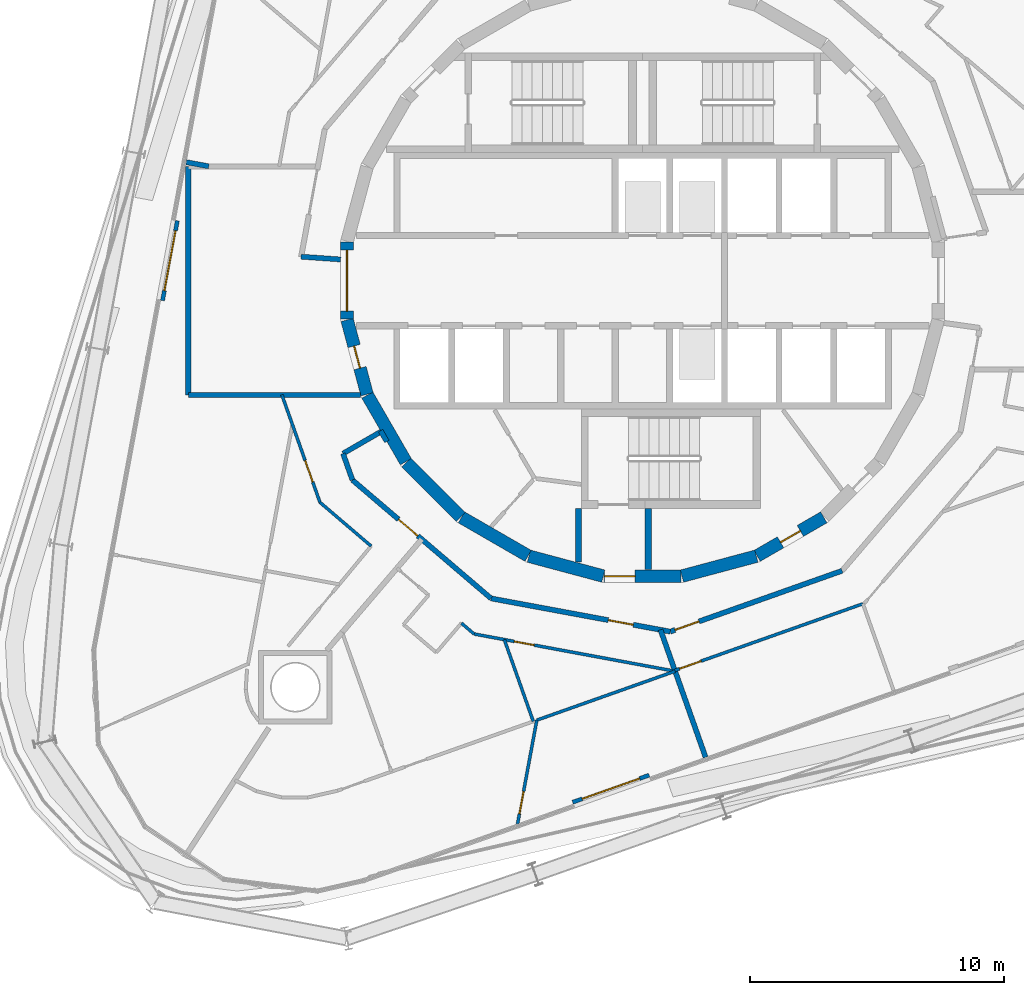
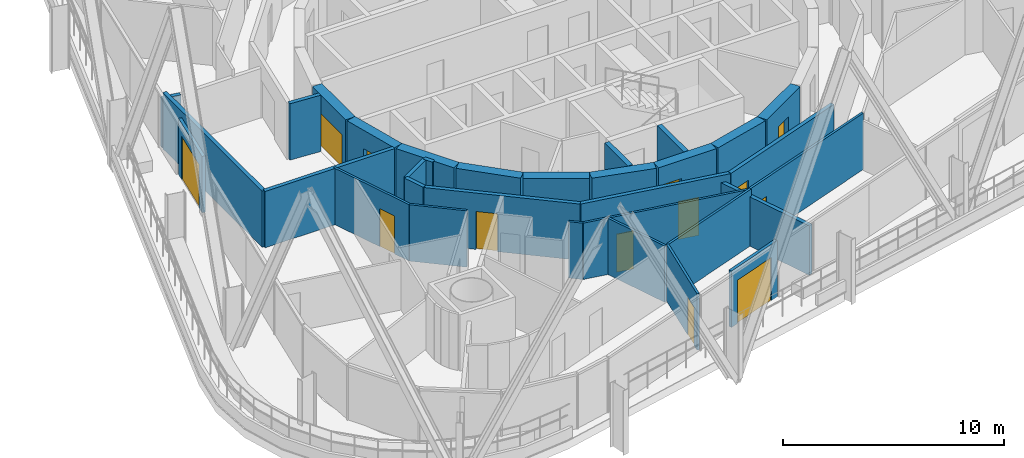
# One storey, part 11 of 25: 32 walls, 13 doors, 13 openings.
"""IFC4 building model written with IfcOpenShell, lengths in metres."""

from ifc_helpers import new_model, si_unit, direction, frame, frame_2d, origin, place, context, subcontext, project, spatial, rectangle, extrude, material, layer, layer_set, type_object, element, fill, save


model = new_model("IFC4")

# Units and contexts
model_context = context("Model", 3, precision=1e-05, world=origin(), true_north=direction((0.0, 1.0)))
body_context = subcontext(model_context, "Body", "Model", "MODEL_VIEW")
ifc_project = project(units=[si_unit("LENGTHUNIT", "METRE"), si_unit("AREAUNIT", "SQUARE_METRE"), si_unit("VOLUMEUNIT", "CUBIC_METRE"), si_unit("PLANEANGLEUNIT", "RADIAN"), si_unit("MASSUNIT", "GRAM", prefix="KILO")], contexts=[model_context])

# Site, building, storey
site_placement = place(None, origin())
site = spatial("IfcSite", under=ifc_project, at=site_placement, CompositionType="ELEMENT")
building_placement = place(site_placement, origin())
building = spatial("IfcBuilding", under=site, at=building_placement, Name="Spindle Arch Residences", CompositionType="ELEMENT")
storey_placement = place(building_placement, frame((0.0, 0.0, 151.699951171875)))
storey = spatial("IfcBuildingStorey", under=building, at=storey_placement, Name="L37", CompositionType="ELEMENT", Elevation=151.699951171875)

# Wall
ifc_material_1 = material(Name="Concrete C50/60", Category="concrete")
ifc_layer_1 = layer(ifc_material_1, 0.5)
ifc_layer_set_1 = layer_set([ifc_layer_1], Name="Core outline wall 500")
wall_type_1 = type_object("IfcWallType", Name="Core outline wall 500", PredefinedType="SHEAR", material=ifc_layer_set_1)
wall_1_placement = place(storey_placement, frame((1.5498046875, -11.642822265625, 0.0), z_axis=(0.0, 0.0, 1.0), x_axis=(0.965948410781, 0.258734743916, 0.0)))
element("IfcWall", 1, at=wall_1_placement, inside=storey, type_object=wall_type_1, Name="Core outline wall 1", PredefinedType="SHEAR", context=body_context, shape_type="SweptSolid", body=[
    extrude(rectangle(XDim=3.03271484375, YDim=0.5, at=frame_2d((1.516357421875, 0.0))), origin(), (0.0, 0.0, 1.0), 3.1201171875),
])

# Wall, opening, door
wall_2_placement = place(storey_placement, frame((4.510498046875, -10.84521484375, 0.0), z_axis=(0.0, 0.0, 1.0), x_axis=(0.865975092491, 0.500087131594, 0.0)))
wall_2 = element("IfcWall", 2, at=wall_2_placement, inside=storey, type_object=wall_type_1, Name="Core outline wall 2", PredefinedType="SHEAR", context=body_context, shape_type="SweptSolid", body=[
    extrude(rectangle(XDim=3.03271484375, YDim=0.5, at=frame_2d((1.516357421875, 0.0))), origin(), (0.0, 0.0, 1.0), 3.1201171875),
])
opening_1_placement = place(wall_2_placement, frame((1.06640625, 0.0, 0.0)))
opening_1 = element("IfcOpeningElement", 3, at=opening_1_placement, cuts=wall_2, Name="Opening R4A0-WD08", PredefinedType="OPENING", context=body_context, shape_type="SweptSolid", body=[
    extrude(rectangle(XDim=0.89990234375, YDim=2.10009765625, at=frame_2d((0.449951171875, 1.050048828125))), frame((0.0, 0.260009765625, 0.0), z_axis=(0.0, -1.0, 0.0), x_axis=(1.0, 0.0, 0.0)), (0.0, 0.0, 1.0), 0.52001953125),
])
ifc_material_2 = material(Name="Steel, fire-resisting door", Category="steel")
door_type_1 = type_object("IfcDoorType", Name="Service room door 900x2100", OperationType="SINGLE_SWING_LEFT", PredefinedType="DOOR", material=ifc_material_2)
door_1_placement = place(opening_1_placement, origin())
door_1 = element("IfcDoor", 4, at=door_1_placement, inside=storey, type_object=door_type_1, Name="Service room door R4A0-WD08", OperationType="SINGLE_SWING_RIGHT", OverallHeight=2.10009765625, OverallWidth=0.89990234375, PredefinedType="DOOR", context=body_context, shape_type="SweptSolid", body=[
    extrude(rectangle(XDim=0.89990234375, YDim=2.10009765625, at=frame_2d((0.449951171875, 1.050048828125))), frame((0.0, 0.02490234375, 0.0), z_axis=(0.0, -1.0, 0.0), x_axis=(1.0, 0.0, 0.0)), (0.0, 0.0, 1.0), 0.050048828125),
])
fill(opening_1, door_1)

wall_3_placement = place(storey_placement, frame((-11.647216796875, 1.516357421875, 0.0), z_axis=(0.0, 0.0, 1.0), x_axis=(0.0, -1.0, 0.0)))
wall_3 = element("IfcWall", 5, at=wall_3_placement, inside=storey, type_object=wall_type_1, Name="Core outline wall 18", PredefinedType="SHEAR", context=body_context, shape_type="SweptSolid", body=[
    extrude(rectangle(XDim=3.03271484375, YDim=0.5, at=frame_2d((1.516357421875, 0.0))), origin(), (0.0, 0.0, 1.0), 3.1201171875),
])
opening_2_placement = place(wall_3_placement, frame((0.31640625, 0.0, 0.0)))
opening_2 = element("IfcOpeningElement", 6, at=opening_2_placement, cuts=wall_3, Name="Opening R4A0-LE01", PredefinedType="OPENING", context=body_context, shape_type="SweptSolid", body=[
    extrude(rectangle(XDim=2.39990234375, YDim=2.10009765625, at=frame_2d((1.199951171875, 1.050048828125))), frame((0.0, 0.260009765625, 0.0), z_axis=(0.0, -1.0, 0.0), x_axis=(1.0, 0.0, 0.0)), (0.0, 0.0, 1.0), 0.52001953125),
])
ifc_material_3 = material(Name="Steel, fire-resisting door", Category="steel")
door_type_2 = type_object("IfcDoorType", Name="Lift lobby entrance door 2400x2100", OperationType="DOUBLE_DOOR_SINGLE_SWING", PredefinedType="DOOR", material=ifc_material_3)
door_2_placement = place(opening_2_placement, origin())
door_2 = element("IfcDoor", 7, at=door_2_placement, inside=storey, type_object=door_type_2, Name="Lift lobby entrance door R4A0-LE01", OperationType="DOUBLE_DOOR_SINGLE_SWING", OverallHeight=2.10009765625, OverallWidth=2.39990234375, PredefinedType="DOOR", context=body_context, shape_type="SweptSolid", body=[
    extrude(rectangle(XDim=2.39990234375, YDim=2.10009765625, at=frame_2d((1.199951171875, 1.050048828125))), frame((0.0, 0.02490234375, 0.0), z_axis=(0.0, -1.0, 0.0), x_axis=(1.0, 0.0, 0.0)), (0.0, 0.0, 1.0), 0.050048828125),
])
fill(opening_2, door_2)

wall_4_placement = place(storey_placement, frame((-11.642822265625, -1.5498046875, 0.0), z_axis=(0.0, 0.0, 1.0), x_axis=(0.258734743916, -0.965948410781, 0.0)))
wall_4 = element("IfcWall", 8, at=wall_4_placement, inside=storey, type_object=wall_type_1, Name="Core outline wall 19", PredefinedType="SHEAR", context=body_context, shape_type="SweptSolid", body=[
    extrude(rectangle(XDim=3.03271484375, YDim=0.5, at=frame_2d((1.516357421875, 0.0))), origin(), (0.0, 0.0, 1.0), 3.1201171875),
])
opening_3_placement = place(wall_4_placement, frame((1.06640625, 0.0, 0.0)))
opening_3 = element("IfcOpeningElement", 9, at=opening_3_placement, cuts=wall_4, Name="Opening R4A0-WD10", PredefinedType="OPENING", context=body_context, shape_type="SweptSolid", body=[
    extrude(rectangle(XDim=0.89990234375, YDim=2.10009765625, at=frame_2d((0.449951171875, 1.050048828125))), frame((0.0, 0.260009765625, 0.0), z_axis=(0.0, -1.0, 0.0), x_axis=(1.0, 0.0, 0.0)), (0.0, 0.0, 1.0), 0.52001953125),
])
door_3_placement = place(opening_3_placement, origin())
door_3 = element("IfcDoor", 10, at=door_3_placement, inside=storey, type_object=door_type_1, Name="Service room door R4A0-WD10", OperationType="SINGLE_SWING_RIGHT", OverallHeight=2.10009765625, OverallWidth=0.89990234375, PredefinedType="DOOR", context=body_context, shape_type="SweptSolid", body=[
    extrude(rectangle(XDim=0.89990234375, YDim=2.10009765625, at=frame_2d((0.449951171875, 1.050048828125))), frame((0.0, 0.02490234375, 0.0), z_axis=(0.0, -1.0, 0.0), x_axis=(1.0, 0.0, 0.0)), (0.0, 0.0, 1.0), 0.050048828125),
])
fill(opening_3, door_3)

# Walls
wall_5_placement = place(storey_placement, frame((-10.84521484375, -4.510498046875, 0.0), z_axis=(0.0, 0.0, 1.0), x_axis=(0.500087131594, -0.865975092491, 0.0)))
element("IfcWall", 11, at=wall_5_placement, inside=storey, type_object=wall_type_1, Name="Core outline wall 20", PredefinedType="SHEAR", context=body_context, shape_type="SweptSolid", body=[
    extrude(rectangle(XDim=3.03271484375, YDim=0.5, at=frame_2d((1.516357421875, 0.0))), origin(), (0.0, 0.0, 1.0), 3.1201171875),
])
wall_6_placement = place(storey_placement, frame((-9.30810546875, -7.163818359375, 0.0), z_axis=(0.0, 0.0, 1.0), x_axis=(0.707106781187, -0.707106781187, 0.0)))
element("IfcWall", 12, at=wall_6_placement, inside=storey, type_object=wall_type_1, Name="Core outline wall 21", PredefinedType="SHEAR", context=body_context, shape_type="SweptSolid", body=[
    extrude(rectangle(XDim=3.032470703125, YDim=0.5, at=frame_2d((1.51611328125, 0.0))), origin(), (0.0, 0.0, 1.0), 3.1201171875),
])
for number, where, z_axis, x_axis, name in (
    (13, (-7.13671875, -9.32861328125, 0.0), (0.0, 0.0, 1.0), (0.865975092491, -0.500087131594, 0.0), "Core outline wall 22"),
    (14, (-4.479248046875, -10.858154296875, 0.0), (0.0, 0.0, 1.0), (0.965948410781, -0.258734743916, 0.0), "Core outline wall 23"),
):
    element("IfcWall", number, at=place(storey_placement, frame(where, z_axis=z_axis, x_axis=x_axis)), inside=storey, type_object=wall_type_1, Name=name, PredefinedType="SHEAR", context=body_context, shape_type="SweptSolid", body=[
        extrude(rectangle(XDim=3.03271484375, YDim=0.5, at=frame_2d((1.516357421875, 0.0))), origin(), (0.0, 0.0, 1.0), 3.1201171875),
    ])

# Wall, opening, door
wall_7_placement = place(storey_placement, frame((-1.516357421875, -11.647216796875, 0.0), z_axis=(0.0, 0.0, 1.0), x_axis=(1.0, 0.0, 0.0)))
wall_7 = element("IfcWall", 15, at=wall_7_placement, inside=storey, type_object=wall_type_1, Name="Core outline wall 24", PredefinedType="SHEAR", context=body_context, shape_type="SweptSolid", body=[
    extrude(rectangle(XDim=3.03271484375, YDim=0.5, at=frame_2d((1.516357421875, 0.0))), origin(), (0.0, 0.0, 1.0), 3.1201171875),
])
opening_4_placement = place(wall_7_placement, frame((0.016357421875, 0.0, 0.0)))
opening_4 = element("IfcOpeningElement", 16, at=opening_4_placement, cuts=wall_7, Name="Opening R4A0-AD03", PredefinedType="OPENING", context=body_context, shape_type="SweptSolid", body=[
    extrude(rectangle(XDim=1.199951171875, YDim=2.10009765625, at=frame_2d((0.60009765625, 1.050048828125))), frame((0.0, 0.260009765625, 0.0), z_axis=(0.0, -1.0, 0.0), x_axis=(1.0, 0.0, 0.0)), (0.0, 0.0, 1.0), 0.52001953125),
])
ifc_material_4 = material(Name="Steel, fire-resisting door", Category="steel")
door_type_3 = type_object("IfcDoorType", Name="Stair airlock door 1200x2100", OperationType="SINGLE_SWING_LEFT", PredefinedType="DOOR", material=ifc_material_4)
door_4_placement = place(opening_4_placement, origin())
door_4 = element("IfcDoor", 17, at=door_4_placement, inside=storey, type_object=door_type_3, Name="Stair airlock door R4A0-AD03", OperationType="SINGLE_SWING_RIGHT", OverallHeight=2.10009765625, OverallWidth=1.199951171875, PredefinedType="DOOR", context=body_context, shape_type="SweptSolid", body=[
    extrude(rectangle(XDim=1.199951171875, YDim=2.10009765625, at=frame_2d((0.60009765625, 1.050048828125))), frame((0.0, 0.02490234375, 0.0), z_axis=(0.0, -1.0, 0.0), x_axis=(1.0, 0.0, 0.0)), (0.0, 0.0, 1.0), 0.050048828125),
])
fill(opening_4, door_4)

# Walls
ifc_material_5 = material(Name="Calcium silicate block, plastered")
ifc_layer_2 = layer(ifc_material_5, 0.199951171875)
ifc_layer_set_2 = layer_set([ifc_layer_2], Name="Corridor wall 200")
wall_type_2 = type_object("IfcWallType", Name="Corridor wall 200", PredefinedType="STANDARD", material=ifc_layer_set_2)
wall_8_placement = place(storey_placement, frame((-10.323486328125, -5.9140625, 0.0), z_axis=(0.0, 0.0, 1.0), x_axis=(0.500137201729, -0.865946175837, 0.0)))
element("IfcWall", 18, at=wall_8_placement, inside=storey, type_object=wall_type_2, Name="Corridor wall R4A0-W014", PredefinedType="STANDARD", context=body_context, shape_type="SweptSolid", body=[
    extrude(rectangle(XDim=0.492431640625, YDim=0.199951171875, at=frame_2d((0.24609375, 0.0))), origin(), (0.0, 0.0, 1.0), 3.1201171875),
])
wall_9_placement = place(storey_placement, frame((-10.303466796875, -5.94873046875, 0.0), z_axis=(0.0, 0.0, 1.0), x_axis=(-0.866021168401, -0.500007335828, 0.0)))
element("IfcWall", 19, at=wall_9_placement, inside=storey, type_object=wall_type_2, Name="Corridor wall R4A0-W015", PredefinedType="STANDARD", context=body_context, shape_type="SweptSolid", body=[
    extrude(rectangle(XDim=1.73095703125, YDim=0.199951171875, at=frame_2d((0.865478515625, 0.0))), origin(), (0.0, 0.0, 1.0), 3.1201171875),
])
wall_10_placement = place(storey_placement, frame((-11.802490234375, -6.814208984375, 0.0), z_axis=(0.0, 0.0, 1.0), x_axis=(0.333904297771, -0.942606980629, 0.0)))
element("IfcWall", 20, at=wall_10_placement, inside=storey, type_object=wall_type_2, Name="Corridor wall R4A0-W016", PredefinedType="STANDARD", context=body_context, shape_type="SweptSolid", body=[
    extrude(rectangle(XDim=1.10693359375, YDim=0.199951171875, at=frame_2d((0.553466796875, 0.0))), origin(), (0.0, 0.0, 1.0), 3.1201171875),
])

# Wall, opening, door
wall_11_placement = place(storey_placement, frame((-11.432861328125, -7.857666015625, 0.0), z_axis=(0.0, 0.0, 1.0), x_axis=(0.760412154545, -0.649440801937, 0.0)))
wall_11 = element("IfcWall", 21, at=wall_11_placement, inside=storey, type_object=wall_type_2, Name="Corridor wall R4A0-W017", PredefinedType="STANDARD", context=body_context, shape_type="SweptSolid", body=[
    extrude(rectangle(XDim=7.180908203125, YDim=0.199951171875, at=frame_2d((3.59033203125, 0.0))), origin(), (0.0, 0.0, 1.0), 3.1201171875),
])
opening_5_placement = place(wall_11_placement, frame((2.390380859375, 0.0, 0.0)))
opening_5 = element("IfcOpeningElement", 22, at=opening_5_placement, cuts=wall_11, Name="Opening R4A0-FD04", PredefinedType="OPENING", context=body_context, shape_type="SweptSolid", body=[
    extrude(rectangle(XDim=1.0, YDim=2.10009765625, at=frame_2d((0.5, 1.050048828125))), frame((0.0, 0.10986328125, 0.0), z_axis=(0.0, -1.0, 0.0), x_axis=(1.0, 0.0, 0.0)), (0.0, 0.0, 1.0), 0.219970703125),
])
ifc_material_6 = material(Name="Timber, fire-resisting door set", Category="wood")
door_type_4 = type_object("IfcDoorType", Name="Flat entrance door 1000x2100", OperationType="NOTDEFINED", PredefinedType="DOOR", material=ifc_material_6)
door_5_placement = place(opening_5_placement, origin())
door_5 = element("IfcDoor", 23, at=door_5_placement, inside=storey, type_object=door_type_4, Name="Flat entrance door R4A0-FD04", OperationType="SINGLE_SWING_RIGHT", OverallHeight=2.10009765625, OverallWidth=1.0, PredefinedType="DOOR", context=body_context, shape_type="SweptSolid", body=[
    extrude(rectangle(XDim=1.0, YDim=2.10009765625, at=frame_2d((0.5, 1.050048828125))), frame((0.0, 0.02490234375, 0.0), z_axis=(0.0, -1.0, 0.0), x_axis=(1.0, 0.0, 0.0)), (0.0, 0.0, 1.0), 0.050048828125),
])
fill(opening_5, door_5)

wall_12_placement = place(storey_placement, frame((-5.972412109375, -12.521240234375, 0.0), z_axis=(0.0, 0.0, 1.0), x_axis=(0.983256068163, -0.18222926335, 0.0)))
wall_12 = element("IfcWall", 24, at=wall_12_placement, inside=storey, type_object=wall_type_2, Name="Corridor wall R4A0-W018", PredefinedType="STANDARD", context=body_context, shape_type="SweptSolid", body=[
    extrude(rectangle(XDim=7.180908203125, YDim=0.199951171875, at=frame_2d((3.59033203125, 0.0))), origin(), (0.0, 0.0, 1.0), 3.1201171875),
])
opening_6_placement = place(wall_12_placement, frame((4.699951171875, 0.0, 0.0)))
opening_6 = element("IfcOpeningElement", 25, at=opening_6_placement, cuts=wall_12, Name="Opening R4A0-FD05", PredefinedType="OPENING", context=body_context, shape_type="SweptSolid", body=[
    extrude(rectangle(XDim=1.0, YDim=2.10009765625, at=frame_2d((0.5, 1.050048828125))), frame((0.0, 0.10986328125, 0.0), z_axis=(0.0, -1.0, 0.0), x_axis=(1.0, 0.0, 0.0)), (0.0, 0.0, 1.0), 0.219970703125),
])
door_6_placement = place(opening_6_placement, origin())
door_6 = element("IfcDoor", 26, at=door_6_placement, inside=storey, type_object=door_type_4, Name="Flat entrance door R4A0-FD05", OperationType="SINGLE_SWING_LEFT", OverallHeight=2.10009765625, OverallWidth=1.0, PredefinedType="DOOR", context=body_context, shape_type="SweptSolid", body=[
    extrude(rectangle(XDim=1.0, YDim=2.10009765625, at=frame_2d((0.5, 1.050048828125))), frame((0.0, 0.02490234375, 0.0), z_axis=(0.0, -1.0, 0.0), x_axis=(1.0, 0.0, 0.0)), (0.0, 0.0, 1.0), 0.050048828125),
])
fill(opening_6, door_6)

wall_13_placement = place(storey_placement, frame((1.08837890625, -13.829833984375, 0.0), z_axis=(0.0, 0.0, 1.0), x_axis=(0.942648397945, 0.333787354241, 0.0)))
wall_13 = element("IfcWall", 27, at=wall_13_placement, inside=storey, type_object=wall_type_2, Name="Corridor wall R4A0-W019", PredefinedType="STANDARD", context=body_context, shape_type="SweptSolid", body=[
    extrude(rectangle(XDim=7.18115234375, YDim=0.199951171875, at=frame_2d((3.590576171875, 0.0))), origin(), (0.0, 0.0, 1.0), 3.1201171875),
])
opening_7_placement = place(wall_13_placement, frame((0.199951171875, 0.0, 0.0)))
opening_7 = element("IfcOpeningElement", 28, at=opening_7_placement, cuts=wall_13, Name="Opening R4A0-FD06", PredefinedType="OPENING", context=body_context, shape_type="SweptSolid", body=[
    extrude(rectangle(XDim=1.0, YDim=2.10009765625, at=frame_2d((0.5, 1.050048828125))), frame((0.0, 0.10986328125, 0.0), z_axis=(0.0, -1.0, 0.0), x_axis=(1.0, 0.0, 0.0)), (0.0, 0.0, 1.0), 0.219970703125),
])
door_7_placement = place(opening_7_placement, origin())
door_7 = element("IfcDoor", 29, at=door_7_placement, inside=storey, type_object=door_type_4, Name="Flat entrance door R4A0-FD06", OperationType="SINGLE_SWING_LEFT", OverallHeight=2.10009765625, OverallWidth=1.0, PredefinedType="DOOR", context=body_context, shape_type="SweptSolid", body=[
    extrude(rectangle(XDim=1.0, YDim=2.10009765625, at=frame_2d((0.5, 1.050048828125))), frame((0.0, 0.02490234375, 0.0), z_axis=(0.0, -1.0, 0.0), x_axis=(1.0, 0.0, 0.0)), (0.0, 0.0, 1.0), 0.050048828125),
])
fill(opening_7, door_7)

ifc_material_7 = material(Name="Plasterboard on steel studs", Category="steel")
ifc_layer_3 = layer(ifc_material_7, 0.1201171875)
ifc_layer_set_3 = layer_set([ifc_layer_3], Name="Flat partition 120")
wall_type_3 = type_object("IfcWallType", Name="Flat partition 120", PredefinedType="PARTITIONING", material=ifc_layer_set_3)
wall_14_placement = place(storey_placement, frame((-14.213134765625, -4.5, 0.0), z_axis=(0.0, 0.0, 1.0), x_axis=(0.333802904542, -0.942642891513, 0.0)))
wall_14 = element("IfcWall", 30, at=wall_14_placement, inside=storey, type_object=wall_type_3, Name="Flat partition R4A0-W085", PredefinedType="PARTITIONING", context=body_context, shape_type="SweptSolid", body=[
    extrude(rectangle(XDim=4.4951171875, YDim=0.1201171875, at=frame_2d((2.24755859375, 0.0))), origin(), (0.0, 0.0, 1.0), 3.1201171875),
])
opening_8_placement = place(wall_14_placement, frame((2.744384765625, 0.0, 0.0)))
opening_8 = element("IfcOpeningElement", 31, at=opening_8_placement, cuts=wall_14, Name="Opening R4A0-ID16", PredefinedType="OPENING", context=body_context, shape_type="SweptSolid", body=[
    extrude(rectangle(XDim=0.89990234375, YDim=2.10009765625, at=frame_2d((0.449951171875, 1.050048828125))), frame((0.0, 0.070068359375, 0.0), z_axis=(0.0, -1.0, 0.0), x_axis=(1.0, 0.0, 0.0)), (0.0, 0.0, 1.0), 0.14013671875),
])
ifc_material_8 = material(Name="Timber door set", Category="wood")
door_type_5 = type_object("IfcDoorType", Name="Room door 900x2100", OperationType="NOTDEFINED", PredefinedType="DOOR", material=ifc_material_8)
door_8_placement = place(opening_8_placement, origin())
door_8 = element("IfcDoor", 32, at=door_8_placement, inside=storey, type_object=door_type_5, Name="Room door R4A0-ID16", OperationType="SINGLE_SWING_RIGHT", OverallHeight=2.10009765625, OverallWidth=0.89990234375, PredefinedType="DOOR", context=body_context, shape_type="SweptSolid", body=[
    extrude(rectangle(XDim=0.89990234375, YDim=2.10009765625, at=frame_2d((0.449951171875, 1.050048828125))), frame((0.0, 0.02490234375, 0.0), z_axis=(0.0, -1.0, 0.0), x_axis=(1.0, 0.0, 0.0)), (0.0, 0.0, 1.0), 0.050048828125),
])
fill(opening_8, door_8)

# Walls
wall_15_placement = place(storey_placement, frame((-12.712646484375, -8.7373046875, 0.0), z_axis=(0.0, 0.0, 1.0), x_axis=(0.760400223405, -0.649454771517, 0.0)))
element("IfcWall", 33, at=wall_15_placement, inside=storey, type_object=wall_type_3, Name="Flat partition R4A0-W086", PredefinedType="PARTITIONING", context=body_context, shape_type="SweptSolid", body=[
    extrude(rectangle(XDim=2.6494140625, YDim=0.1201171875, at=frame_2d((1.32470703125, 0.0))), origin(), (0.0, 0.0, 1.0), 3.1201171875),
])
wall_16_placement = place(storey_placement, frame((-7.14013671875, -13.49658203125, 0.0), z_axis=(0.0, 0.0, 1.0), x_axis=(0.760515230334, -0.649320093967, 0.0)))
element("IfcWall", 34, at=wall_16_placement, inside=storey, type_object=wall_type_3, Name="Flat partition R4A0-W100", PredefinedType="PARTITIONING", context=body_context, shape_type="SweptSolid", body=[
    extrude(rectangle(XDim=0.656494140625, YDim=0.1201171875, at=frame_2d((0.328125, 0.0))), origin(), (0.0, 0.0, 1.0), 3.1201171875),
])

# Wall, opening, door
wall_17_placement = place(storey_placement, frame((-6.640869140625, -13.9228515625, 0.0), z_axis=(0.0, 0.0, 1.0), x_axis=(0.983250157272, -0.182261153912, 0.0)))
wall_17 = element("IfcWall", 35, at=wall_17_placement, inside=storey, type_object=wall_type_3, Name="Flat partition R4A0-W101", PredefinedType="PARTITIONING", context=body_context, shape_type="SweptSolid", body=[
    extrude(rectangle(XDim=7.98486328125, YDim=0.1201171875, at=frame_2d((3.992431640625, 0.0))), origin(), (0.0, 0.0, 1.0), 3.1201171875),
])
opening_9_placement = place(wall_17_placement, frame((1.6123046875, 0.0, 0.0)))
opening_9 = element("IfcOpeningElement", 36, at=opening_9_placement, cuts=wall_17, Name="Opening R4A0-BD05", PredefinedType="OPENING", context=body_context, shape_type="SweptSolid", body=[
    extrude(rectangle(XDim=0.800048828125, YDim=2.10009765625, at=frame_2d((0.39990234375, 1.050048828125))), frame((0.0, 0.070068359375, 0.0), z_axis=(0.0, -1.0, 0.0), x_axis=(1.0, 0.0, 0.0)), (0.0, 0.0, 1.0), 0.14013671875),
])
ifc_material_9 = material(Name="Timber door set", Category="wood")
door_type_6 = type_object("IfcDoorType", Name="Bathroom door 800x2100", OperationType="NOTDEFINED", PredefinedType="DOOR", material=ifc_material_9)
door_9_placement = place(opening_9_placement, origin())
door_9 = element("IfcDoor", 37, at=door_9_placement, inside=storey, type_object=door_type_6, Name="Bathroom door R4A0-BD05", OperationType="SINGLE_SWING_LEFT", OverallHeight=2.10009765625, OverallWidth=0.800048828125, PredefinedType="DOOR", context=body_context, shape_type="SweptSolid", body=[
    extrude(rectangle(XDim=0.800048828125, YDim=2.10009765625, at=frame_2d((0.39990234375, 1.050048828125))), frame((0.0, 0.02490234375, 0.0), z_axis=(0.0, -1.0, 0.0), x_axis=(1.0, 0.0, 0.0)), (0.0, 0.0, 1.0), 0.050048828125),
])
fill(opening_9, door_9)

# Wall
wall_18_placement = place(storey_placement, frame((-4.3076171875, -17.366943359375, 0.0), z_axis=(0.0, 0.0, 1.0), x_axis=(-0.333802202677, 0.942643140052, 0.0)))
element("IfcWall", 38, at=wall_18_placement, inside=storey, type_object=wall_type_3, Name="Flat partition R4A0-W108", PredefinedType="PARTITIONING", context=body_context, shape_type="SweptSolid", body=[
    extrude(rectangle(XDim=3.419189453125, YDim=0.1201171875, at=frame_2d((1.70947265625, 0.0))), origin(), (0.0, 0.0, 1.0), 3.1201171875),
])

# Wall, opening, door
wall_19_placement = place(storey_placement, frame((-4.927490234375, -21.405517578125, 0.0), z_axis=(0.0, 0.0, 1.0), x_axis=(0.182238575099, 0.983254342348, 0.0)))
wall_19 = element("IfcWall", 39, at=wall_19_placement, inside=storey, type_object=wall_type_3, Name="Flat partition R4A0-W109", PredefinedType="PARTITIONING", context=body_context, shape_type="SweptSolid", body=[
    extrude(rectangle(XDim=4.156982421875, YDim=0.1201171875, at=frame_2d((2.07861328125, 0.0))), origin(), (0.0, 0.0, 1.0), 3.1201171875),
])
opening_10_placement = place(wall_19_placement, frame((0.39990234375, 0.0, 0.0)))
opening_10 = element("IfcOpeningElement", 40, at=opening_10_placement, cuts=wall_19, Name="Opening R4A0-ID23", PredefinedType="OPENING", context=body_context, shape_type="SweptSolid", body=[
    extrude(rectangle(XDim=0.89990234375, YDim=2.10009765625, at=frame_2d((0.449951171875, 1.050048828125))), frame((0.0, 0.070068359375, 0.0), z_axis=(0.0, -1.0, 0.0), x_axis=(1.0, 0.0, 0.0)), (0.0, 0.0, 1.0), 0.14013671875),
])
door_10_placement = place(opening_10_placement, origin())
door_10 = element("IfcDoor", 41, at=door_10_placement, inside=storey, type_object=door_type_5, Name="Room door R4A0-ID23", OperationType="SINGLE_SWING_RIGHT", OverallHeight=2.10009765625, OverallWidth=0.89990234375, PredefinedType="DOOR", context=body_context, shape_type="SweptSolid", body=[
    extrude(rectangle(XDim=0.89990234375, YDim=2.10009765625, at=frame_2d((0.449951171875, 1.050048828125))), frame((0.0, 0.02490234375, 0.0), z_axis=(0.0, -1.0, 0.0), x_axis=(1.0, 0.0, 0.0)), (0.0, 0.0, 1.0), 0.050048828125),
])
fill(opening_10, door_10)

# Wall
wall_20_placement = place(storey_placement, frame((-4.169921875, -17.318115234375, 0.0), z_axis=(0.0, 0.0, 1.0), x_axis=(0.942641343532, 0.333807275931, 0.0)))
element("IfcWall", 42, at=wall_20_placement, inside=storey, type_object=wall_type_3, Name="Flat partition R4A0-W110", PredefinedType="PARTITIONING", context=body_context, shape_type="SweptSolid", body=[
    extrude(rectangle(XDim=5.781494140625, YDim=0.1201171875, at=frame_2d((2.890625, 0.0))), origin(), (0.0, 0.0, 1.0), 3.1201171875),
])

# Wall, opening, door
wall_21_placement = place(storey_placement, frame((1.26904296875, -15.357177734375, 0.0), z_axis=(0.0, 0.0, 1.0), x_axis=(0.942639442898, 0.333812643101, 0.0)))
wall_21 = element("IfcWall", 43, at=wall_21_placement, inside=storey, type_object=wall_type_3, Name="Flat partition R4A0-W111", PredefinedType="PARTITIONING", context=body_context, shape_type="SweptSolid", body=[
    extrude(rectangle(XDim=7.860107421875, YDim=0.1201171875, at=frame_2d((3.93017578125, 0.0))), origin(), (0.0, 0.0, 1.0), 3.1201171875),
])
opening_11_placement = place(wall_21_placement, frame((0.199951171875, 0.0, 0.0)))
opening_11 = element("IfcOpeningElement", 44, at=opening_11_placement, cuts=wall_21, Name="Opening R4A0-ID25", PredefinedType="OPENING", context=body_context, shape_type="SweptSolid", body=[
    extrude(rectangle(XDim=0.89990234375, YDim=2.10009765625, at=frame_2d((0.449951171875, 1.050048828125))), frame((0.0, 0.070068359375, 0.0), z_axis=(0.0, -1.0, 0.0), x_axis=(1.0, 0.0, 0.0)), (0.0, 0.0, 1.0), 0.14013671875),
])
door_11_placement = place(opening_11_placement, origin())
door_11 = element("IfcDoor", 45, at=door_11_placement, inside=storey, type_object=door_type_5, Name="Room door R4A0-ID25", OperationType="SINGLE_SWING_LEFT", OverallHeight=2.10009765625, OverallWidth=0.89990234375, PredefinedType="DOOR", context=body_context, shape_type="SweptSolid", body=[
    extrude(rectangle(XDim=0.89990234375, YDim=2.10009765625, at=frame_2d((0.449951171875, 1.050048828125))), frame((0.0, 0.02490234375, 0.0), z_axis=(0.0, -1.0, 0.0), x_axis=(1.0, 0.0, 0.0)), (0.0, 0.0, 1.0), 0.050048828125),
])
fill(opening_11, door_11)

# Walls
ifc_material_10 = material(Name="Calcium silicate block, plastered")
ifc_layer_4 = layer(ifc_material_10, 0.199951171875)
ifc_layer_set_4 = layer_set([ifc_layer_4], Name="Flat party wall 200 under beam 2730")
wall_type_4 = type_object("IfcWallType", Name="Flat party wall 200 under beam 2730", PredefinedType="STANDARD", material=ifc_layer_set_4)
wall_22_placement = place(storey_placement, frame((-17.98388671875, 4.665283203125, 0.0), z_axis=(0.0, 0.0, 1.0), x_axis=(0.98328378843, -0.182079629313, 0.0)))
element("IfcWall", 46, at=wall_22_placement, inside=storey, type_object=wall_type_4, Name="Flat party wall R4A0-W034", PredefinedType="STANDARD", context=body_context, shape_type="SweptSolid", body=[
    extrude(rectangle(XDim=0.90771484375, YDim=0.199951171875, at=frame_2d((0.453857421875, 0.0))), origin(), (0.0, 0.0, 1.0), 2.72998046875),
])
wall_23_placement = place(storey_placement, frame((2.481689453125, -18.78173828125, 0.0), z_axis=(0.0, 0.0, 1.0), x_axis=(-0.333807281402, 0.942641341594, 0.0)))
element("IfcWall", 47, at=wall_23_placement, inside=storey, type_object=wall_type_4, Name="Flat party wall R4A0-W038", PredefinedType="STANDARD", context=body_context, shape_type="SweptSolid", body=[
    extrude(rectangle(XDim=5.328857421875, YDim=0.199951171875, at=frame_2d((2.66455078125, 0.0))), origin(), (0.0, 0.0, 1.0), 2.72998046875),
])

# Wall, opening, door
ifc_material_11 = material(Name="Non-combustible mineral wool insulated aluminium faced external wall (K0)", Category="aluminium")
ifc_layer_5 = layer(ifc_material_11, 0.159912109375)
ifc_layer_set_5 = layer_set([ifc_layer_5], Name="Insulated external wall panel 160")
wall_type_5 = type_object("IfcWallType", Name="Insulated external wall panel 160", PredefinedType="STANDARD", material=ifc_layer_set_5)
wall_24_placement = place(storey_placement, frame((-18.329833984375, 2.35986328125, 0.0), z_axis=(0.0, 0.0, 1.0), x_axis=(-0.18226136951, -0.983250117307, 0.0)))
wall_24 = element("IfcWall", 48, at=wall_24_placement, inside=storey, type_object=wall_type_5, Name="External wall L37 bay 15", PredefinedType="STANDARD", context=body_context, shape_type="SweptSolid", body=[
    extrude(rectangle(XDim=3.2001953125, YDim=0.159912109375, at=frame_2d((1.60009765625, 0.0))), origin(), (0.0, 0.0, 1.0), 3.1201171875),
])
opening_12_placement = place(wall_24_placement, frame((0.39990234375, 0.0, 0.0)))
opening_12 = element("IfcOpeningElement", 49, at=opening_12_placement, cuts=wall_24, Name="Opening BD15", PredefinedType="OPENING", context=body_context, shape_type="SweptSolid", body=[
    extrude(rectangle(XDim=2.39990234375, YDim=2.39990234375, at=frame_2d((1.199951171875, 1.199951171875))), frame((0.0, 0.08984375, 0.0), z_axis=(0.0, -1.0, 0.0), x_axis=(1.0, 0.0, 0.0)), (0.0, 0.0, 1.0), 0.179931640625),
])
ifc_material_12 = material(Name="Bronze aluminium frame, tinted double glazing", Category="aluminium")
door_type_7 = type_object("IfcDoorType", Name="Sliding glazed balcony door 2400x2400", OperationType="DOUBLE_DOOR_SLIDING", PredefinedType="DOOR", material=ifc_material_12)
door_12_placement = place(opening_12_placement, origin())
door_12 = element("IfcDoor", 50, at=door_12_placement, inside=storey, type_object=door_type_7, Name="Balcony door BD15", OperationType="DOUBLE_DOOR_SLIDING", OverallHeight=2.39990234375, OverallWidth=2.39990234375, PredefinedType="DOOR", context=body_context, shape_type="SweptSolid", body=[
    extrude(rectangle(XDim=2.39990234375, YDim=2.39990234375, at=frame_2d((1.199951171875, 1.199951171875))), frame((0.0, 0.02490234375, 0.0), z_axis=(0.0, -1.0, 0.0), x_axis=(1.0, 0.0, 0.0)), (0.0, 0.0, 1.0), 0.050048828125),
])
fill(opening_12, door_12)

wall_25_placement = place(storey_placement, frame((-2.7578125, -20.55224609375, 0.0), z_axis=(0.0, 0.0, 1.0), x_axis=(0.94265323131, 0.333773704029, 0.0)))
wall_25 = element("IfcWall", 51, at=wall_25_placement, inside=storey, type_object=wall_type_5, Name="External wall L37 bay 21", PredefinedType="STANDARD", context=body_context, shape_type="SweptSolid", body=[
    extrude(rectangle(XDim=3.2001953125, YDim=0.159912109375, at=frame_2d((1.60009765625, 0.0))), origin(), (0.0, 0.0, 1.0), 3.1201171875),
])
opening_13_placement = place(wall_25_placement, frame((0.39990234375, 0.0, 0.0)))
opening_13 = element("IfcOpeningElement", 52, at=opening_13_placement, cuts=wall_25, Name="Opening BD21", PredefinedType="OPENING", context=body_context, shape_type="SweptSolid", body=[
    extrude(rectangle(XDim=2.39990234375, YDim=2.39990234375, at=frame_2d((1.199951171875, 1.199951171875))), frame((0.0, 0.08984375, 0.0), z_axis=(0.0, -1.0, 0.0), x_axis=(1.0, 0.0, 0.0)), (0.0, 0.0, 1.0), 0.179931640625),
])
door_13_placement = place(opening_13_placement, origin())
door_13 = element("IfcDoor", 53, at=door_13_placement, inside=storey, type_object=door_type_7, Name="Balcony door BD21", OperationType="DOUBLE_DOOR_SLIDING", OverallHeight=2.39990234375, OverallWidth=2.39990234375, PredefinedType="DOOR", context=body_context, shape_type="SweptSolid", body=[
    extrude(rectangle(XDim=2.39990234375, YDim=2.39990234375, at=frame_2d((1.199951171875, 1.199951171875))), frame((0.0, 0.02490234375, 0.0), z_axis=(0.0, -1.0, 0.0), x_axis=(1.0, 0.0, 0.0)), (0.0, 0.0, 1.0), 0.050048828125),
])
fill(opening_13, door_13)

# Walls
ifc_material_13 = material(Name="Calcium silicate block, plastered")
ifc_layer_6 = layer(ifc_material_13, 0.199951171875)
ifc_layer_set_6 = layer_set([ifc_layer_6], Name="Lift lobby bay wall 200")
wall_type_6 = type_object("IfcWallType", Name="Lift lobby bay wall 200", PredefinedType="STANDARD", material=ifc_layer_set_6)
wall_26_placement = place(storey_placement, frame((-13.453857421875, 0.94091796875, 0.0), z_axis=(0.0, 0.0, 1.0), x_axis=(0.99755155062, -0.069934997354, 0.0)))
element("IfcWall", 54, at=wall_26_placement, inside=storey, type_object=wall_type_6, Name="Lift lobby bay wall R4A0-W008", PredefinedType="STANDARD", context=body_context, shape_type="SweptSolid", body=[
    extrude(rectangle(XDim=1.560546875, YDim=0.199951171875, at=frame_2d((0.7802734375, 0.0))), origin(), (0.0, 0.0, 1.0), 3.1201171875),
])
wall_27_placement = place(storey_placement, frame((-17.89990234375, -4.5, 0.0), z_axis=(0.0, 0.0, 1.0), x_axis=(1.0, 0.0, 0.0)))
element("IfcWall", 55, at=wall_27_placement, inside=storey, type_object=wall_type_6, Name="Lift lobby bay wall R4A0-W022", PredefinedType="STANDARD", context=body_context, shape_type="SweptSolid", body=[
    extrude(rectangle(XDim=6.78857421875, YDim=0.199951171875, at=frame_2d((3.394287109375, 0.0))), origin(), (0.0, 0.0, 1.0), 3.1201171875),
])
wall_28_placement = place(storey_placement, frame((-17.89990234375, 4.5, 0.0), z_axis=(0.0, 0.0, 1.0), x_axis=(0.0, -1.0, 0.0)))
element("IfcWall", 56, at=wall_28_placement, inside=storey, type_object=wall_type_6, Name="Lift lobby bay wall R4A0-W023", PredefinedType="STANDARD", context=body_context, shape_type="SweptSolid", body=[
    extrude(rectangle(XDim=9.0, YDim=0.199951171875, at=frame_2d((4.5, 0.0))), origin(), (0.0, 0.0, 1.0), 3.1201171875),
])
ifc_material_14 = material(Name="Concrete C40/50", Category="concrete")
ifc_layer_7 = layer(ifc_material_14, 0.25)
ifc_layer_set_7 = layer_set([ifc_layer_7], Name="Stair airlock wall 250")
wall_type_7 = type_object("IfcWallType", Name="Stair airlock wall 250", PredefinedType="SHEAR", material=ifc_layer_set_7)
wall_29_placement = place(storey_placement, frame((-2.52490234375, -8.969970703125, 0.0), z_axis=(0.0, 0.0, 1.0), x_axis=(0.0, -1.0, 0.0)))
element("IfcWall", 57, at=wall_29_placement, inside=storey, type_object=wall_type_7, Name="Stair ST-3 airlock wall W", PredefinedType="SHEAR", context=body_context, shape_type="SweptSolid", body=[
    extrude(rectangle(XDim=2.110107421875, YDim=0.25, at=frame_2d((1.05517578125, 0.0))), origin(), (0.0, 0.0, 1.0), 3.1201171875),
])
wall_30_placement = place(storey_placement, frame((0.22509765625, -8.969970703125, 0.0), z_axis=(0.0, 0.0, 1.0), x_axis=(0.0, -1.0, 0.0)))
element("IfcWall", 58, at=wall_30_placement, inside=storey, type_object=wall_type_7, Name="Stair ST-3 airlock wall E", PredefinedType="SHEAR", context=body_context, shape_type="SweptSolid", body=[
    extrude(rectangle(XDim=2.409912109375, YDim=0.25, at=frame_2d((1.205078125, 0.0))), origin(), (0.0, 0.0, 1.0), 3.1201171875),
])

save(model, "model.ifc")
